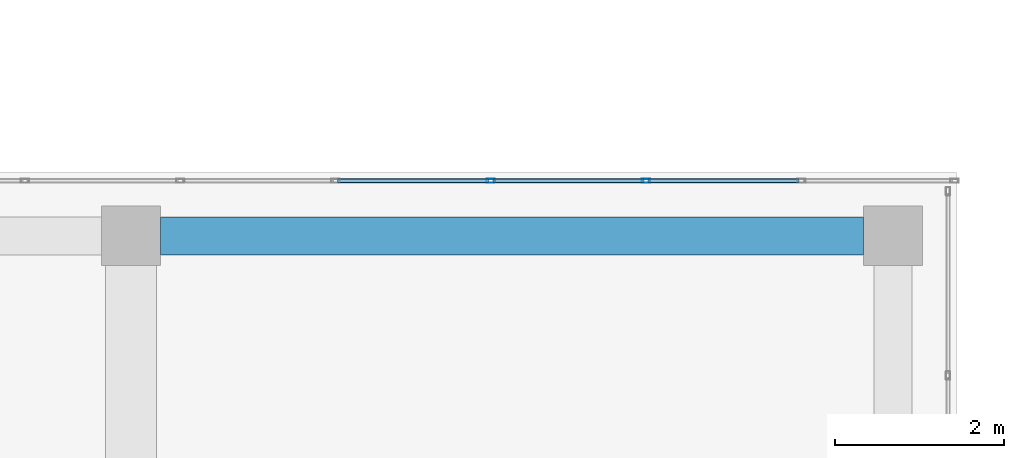
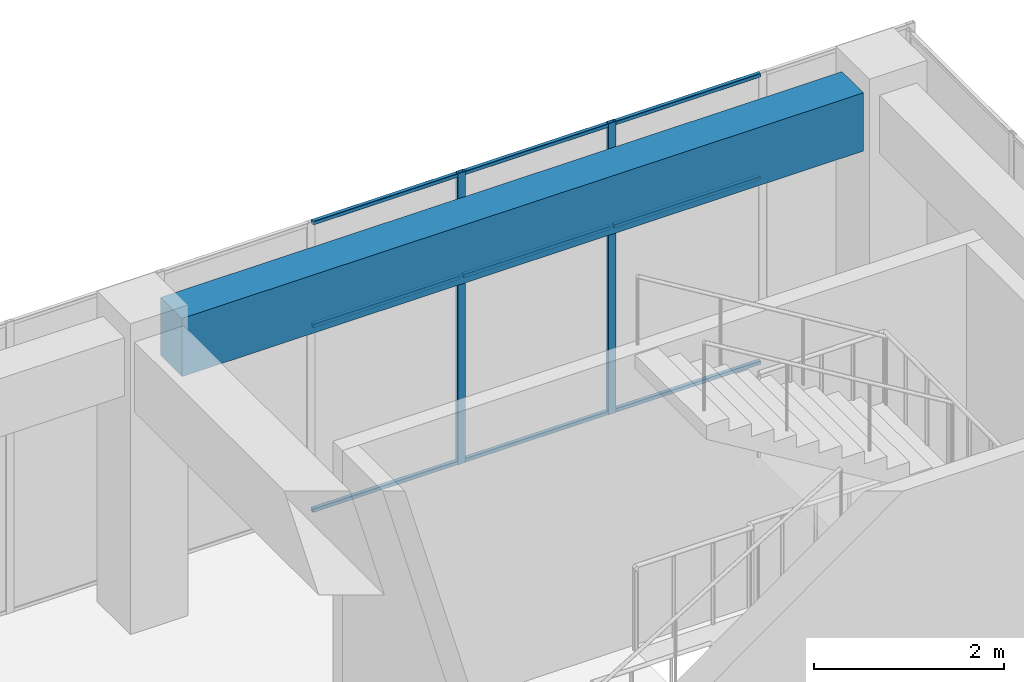
# One storey, part 32 of 43: 11 members, 1 beam, 1 element without a shape of its own.
"""IFC4 building model written with IfcOpenShell, lengths in metres."""

from ifc_helpers import new_model, si_unit, direction, frame, origin, origin_2d, place, context, subcontext, project, spatial, rectangle, hollow_rectangle, extrude, material, layer, layer_set, material_profile, profile_set, type_object, element, aggregate, save


model = new_model("IFC4")

# Units and contexts
model_context = context("Model", 3, precision=1e-05, world=origin(), true_north=direction((0.0, 1.0)))
body_context = subcontext(model_context, "Body", "Model", "MODEL_VIEW")
ifc_project = project(units=[si_unit("LENGTHUNIT", "METRE"), si_unit("AREAUNIT", "SQUARE_METRE"), si_unit("VOLUMEUNIT", "CUBIC_METRE"), si_unit("PLANEANGLEUNIT", "RADIAN"), si_unit("MASSUNIT", "GRAM", prefix="KILO")], contexts=[model_context])

# Site, building, storey
site_placement = place(None, origin())
site = spatial("IfcSite", under=ifc_project, at=site_placement, CompositionType="ELEMENT")
building_placement = place(site_placement, origin())
building = spatial("IfcBuilding", under=site, at=building_placement, Name="Tuart Plaza Theatre", CompositionType="ELEMENT")
storey_placement = place(building_placement, frame((0.0, 0.0, 33.5)))
storey = spatial("IfcBuildingStorey", under=building, at=storey_placement, Name="L08", CompositionType="ELEMENT", Elevation=33.5)

# Beam
ifc_material_1 = material(Name="Concrete N40 (40 MPa)", Category="concrete")
ifc_material_profile_1 = material_profile(ifc_material_1, rectangle(XDim=0.449951171875, YDim=0.75, at=origin_2d()), Name="BEAM 450x750 Concrete N40 (40 MPa)")
ifc_profile_set_1 = profile_set([ifc_material_profile_1], Name="Concrete N40 (40 MPa)")
beam_type = type_object("IfcBeamType", Name="BEAM 450x750 Concrete N40 (40 MPa)", PredefinedType="BEAM", material=ifc_profile_set_1)
beam_placement = place(storey_placement, frame((132.35009765625, 92.0, 3.375), z_axis=(1.0, 0.0, 0.0), x_axis=(0.0, 1.0, 0.0)))
element("IfcBeam", 1, at=beam_placement, inside=storey, type_object=beam_type, Name="RB271", PredefinedType="BEAM", context=body_context, shape_type="SweptSolid", body=[
    extrude(rectangle(XDim=0.449951171875, YDim=0.75, at=origin_2d()), origin(), (0.0, 0.0, 1.0), 8.2998046875),
])

# Curtain wall, members
ifc_material_2 = material(Name="Aluminium and glass", Category="aluminium")
ifc_layer = layer(ifc_material_2, 0.10009765625)
ifc_layer_set = layer_set([ifc_layer], Name="CURTAIN WALL 1800 module")
curtain_wall_type = type_object("IfcCurtainWallType", Name="CURTAIN WALL 1800 module", PredefinedType="NOTDEFINED", material=ifc_layer_set)
curtain_wall_placement = place(storey_placement, origin())
curtain_wall = element("IfcCurtainWall", 2, at=curtain_wall_placement, inside=storey, type_object=curtain_wall_type, Name="CW95", PredefinedType="NOTDEFINED")
ifc_material_3 = material(Name="Aluminium 6063-T5", Category="aluminium")
ifc_material_profile_2 = material_profile(ifc_material_3, hollow_rectangle(XDim=0.050048828125, YDim=0.10009765625, WallThickness=0.00390625, InnerFilletRadius=0.00390625, OuterFilletRadius=0.008056640625, at=origin_2d()), Name="RHS 100x50x4")
ifc_profile_set_2 = profile_set([ifc_material_profile_2], Name="Aluminium 6063-T5")
member_type_1 = type_object("IfcMemberType", Name="MULLION RHS 100x50x4", PredefinedType="MULLION", material=ifc_profile_set_2)
member_1_placement = place(storey_placement, frame((138.083251953125, 92.64990234375, 0.0), z_axis=(0.0, 0.0, 1.0), x_axis=(0.0, -1.0, 0.0)))
member_1 = element("IfcMember", 3, at=member_1_placement, type_object=member_type_1, Name="CW95 mullion 3", PredefinedType="MULLION", context=body_context, shape_type="SweptSolid", body=[
    extrude(hollow_rectangle(XDim=0.050048828125, YDim=0.10009765625, WallThickness=0.00390625, InnerFilletRadius=0.00390625, OuterFilletRadius=0.008056640625, at=origin_2d()), origin(), (0.0, 0.0, 1.0), 3.75),
])
member_2_placement = place(storey_placement, frame((136.25, 92.64990234375, 0.0), z_axis=(0.0, 0.0, 1.0), x_axis=(0.0, -1.0, 0.0)))
member_2 = element("IfcMember", 4, at=member_2_placement, type_object=member_type_1, Name="CW95 mullion 4", PredefinedType="MULLION", context=body_context, shape_type="SweptSolid", body=[
    extrude(hollow_rectangle(XDim=0.050048828125, YDim=0.10009765625, WallThickness=0.00390625, InnerFilletRadius=0.00390625, OuterFilletRadius=0.008056640625, at=origin_2d()), origin(), (0.0, 0.0, 1.0), 3.75),
])
ifc_material_4 = material(Name="Aluminium 6063-T5", Category="aluminium")
ifc_material_profile_3 = material_profile(ifc_material_4, hollow_rectangle(XDim=0.050048828125, YDim=0.050048828125, WallThickness=0.00390625, InnerFilletRadius=0.00390625, OuterFilletRadius=0.008056640625, at=origin_2d()), Name="RHS 50x50x4")
ifc_profile_set_3 = profile_set([ifc_material_profile_3], Name="Aluminium 6063-T5")
member_type_2 = type_object("IfcMemberType", Name="TRANSOM RHS 50x50x4", PredefinedType="USERDEFINED", material=ifc_profile_set_3)
member_3_placement = place(storey_placement, frame((139.8916015625, 92.64990234375, 0.02490234375), z_axis=(-1.0, 0.0, 0.0), x_axis=(0.0, -1.0, 0.0)))
member_3 = element("IfcMember", 5, at=member_3_placement, type_object=member_type_2, Name="CW95 transom 2.1", ObjectType="TRANSOM", PredefinedType="USERDEFINED", context=body_context, shape_type="SweptSolid", body=[
    extrude(hollow_rectangle(XDim=0.050048828125, YDim=0.050048828125, WallThickness=0.00390625, InnerFilletRadius=0.00390625, OuterFilletRadius=0.008056640625, at=origin_2d()), origin(), (0.0, 0.0, 1.0), 1.783203125),
])
member_4_placement = place(storey_placement, frame((139.8916015625, 92.64990234375, 2.39990234375), z_axis=(-1.0, 0.0, 0.0), x_axis=(0.0, -1.0, 0.0)))
member_4 = element("IfcMember", 6, at=member_4_placement, type_object=member_type_2, Name="CW95 transom 2.2", ObjectType="TRANSOM", PredefinedType="USERDEFINED", context=body_context, shape_type="SweptSolid", body=[
    extrude(hollow_rectangle(XDim=0.050048828125, YDim=0.050048828125, WallThickness=0.00390625, InnerFilletRadius=0.00390625, OuterFilletRadius=0.008056640625, at=origin_2d()), origin(), (0.0, 0.0, 1.0), 1.783203125),
])
member_5_placement = place(storey_placement, frame((139.8916015625, 92.64990234375, 3.72509765625), z_axis=(-1.0, 0.0, 0.0), x_axis=(0.0, -1.0, 0.0)))
member_5 = element("IfcMember", 7, at=member_5_placement, type_object=member_type_2, Name="CW95 transom 2.3", ObjectType="TRANSOM", PredefinedType="USERDEFINED", context=body_context, shape_type="SweptSolid", body=[
    extrude(hollow_rectangle(XDim=0.050048828125, YDim=0.050048828125, WallThickness=0.00390625, InnerFilletRadius=0.00390625, OuterFilletRadius=0.008056640625, at=origin_2d()), origin(), (0.0, 0.0, 1.0), 1.783203125),
])
member_6_placement = place(storey_placement, frame((138.058349609375, 92.64990234375, 0.02490234375), z_axis=(-1.0, 0.0, 0.0), x_axis=(0.0, -1.0, 0.0)))
member_6 = element("IfcMember", 8, at=member_6_placement, type_object=member_type_2, Name="CW95 transom 3.1", ObjectType="TRANSOM", PredefinedType="USERDEFINED", context=body_context, shape_type="SweptSolid", body=[
    extrude(hollow_rectangle(XDim=0.050048828125, YDim=0.050048828125, WallThickness=0.00390625, InnerFilletRadius=0.00390625, OuterFilletRadius=0.008056640625, at=origin_2d()), origin(), (0.0, 0.0, 1.0), 1.783447265625),
])
member_7_placement = place(storey_placement, frame((138.058349609375, 92.64990234375, 2.39990234375), z_axis=(-1.0, 0.0, 0.0), x_axis=(0.0, -1.0, 0.0)))
member_7 = element("IfcMember", 9, at=member_7_placement, type_object=member_type_2, Name="CW95 transom 3.2", ObjectType="TRANSOM", PredefinedType="USERDEFINED", context=body_context, shape_type="SweptSolid", body=[
    extrude(hollow_rectangle(XDim=0.050048828125, YDim=0.050048828125, WallThickness=0.00390625, InnerFilletRadius=0.00390625, OuterFilletRadius=0.008056640625, at=origin_2d()), origin(), (0.0, 0.0, 1.0), 1.783447265625),
])
member_8_placement = place(storey_placement, frame((138.058349609375, 92.64990234375, 3.72509765625), z_axis=(-1.0, 0.0, 0.0), x_axis=(0.0, -1.0, 0.0)))
member_8 = element("IfcMember", 10, at=member_8_placement, type_object=member_type_2, Name="CW95 transom 3.3", ObjectType="TRANSOM", PredefinedType="USERDEFINED", context=body_context, shape_type="SweptSolid", body=[
    extrude(hollow_rectangle(XDim=0.050048828125, YDim=0.050048828125, WallThickness=0.00390625, InnerFilletRadius=0.00390625, OuterFilletRadius=0.008056640625, at=origin_2d()), origin(), (0.0, 0.0, 1.0), 1.783447265625),
])
member_9_placement = place(storey_placement, frame((136.22509765625, 92.64990234375, 0.02490234375), z_axis=(-1.0, 0.0, 0.0), x_axis=(0.0, -1.0, 0.0)))
member_9 = element("IfcMember", 11, at=member_9_placement, type_object=member_type_2, Name="CW95 transom 4.1", ObjectType="TRANSOM", PredefinedType="USERDEFINED", context=body_context, shape_type="SweptSolid", body=[
    extrude(hollow_rectangle(XDim=0.050048828125, YDim=0.050048828125, WallThickness=0.00390625, InnerFilletRadius=0.00390625, OuterFilletRadius=0.008056640625, at=origin_2d()), origin(), (0.0, 0.0, 1.0), 1.783447265625),
])
member_10_placement = place(storey_placement, frame((136.22509765625, 92.64990234375, 2.39990234375), z_axis=(-1.0, 0.0, 0.0), x_axis=(0.0, -1.0, 0.0)))
member_10 = element("IfcMember", 12, at=member_10_placement, type_object=member_type_2, Name="CW95 transom 4.2", ObjectType="TRANSOM", PredefinedType="USERDEFINED", context=body_context, shape_type="SweptSolid", body=[
    extrude(hollow_rectangle(XDim=0.050048828125, YDim=0.050048828125, WallThickness=0.00390625, InnerFilletRadius=0.00390625, OuterFilletRadius=0.008056640625, at=origin_2d()), origin(), (0.0, 0.0, 1.0), 1.783447265625),
])
member_11_placement = place(storey_placement, frame((136.22509765625, 92.64990234375, 3.72509765625), z_axis=(-1.0, 0.0, 0.0), x_axis=(0.0, -1.0, 0.0)))
member_11 = element("IfcMember", 13, at=member_11_placement, type_object=member_type_2, Name="CW95 transom 4.3", ObjectType="TRANSOM", PredefinedType="USERDEFINED", context=body_context, shape_type="SweptSolid", body=[
    extrude(hollow_rectangle(XDim=0.050048828125, YDim=0.050048828125, WallThickness=0.00390625, InnerFilletRadius=0.00390625, OuterFilletRadius=0.008056640625, at=origin_2d()), origin(), (0.0, 0.0, 1.0), 1.783447265625),
])
aggregate(curtain_wall, [member_1, member_2, member_3, member_4, member_5, member_6, member_7, member_8, member_9, member_10, member_11])

save(model, "model.ifc")
